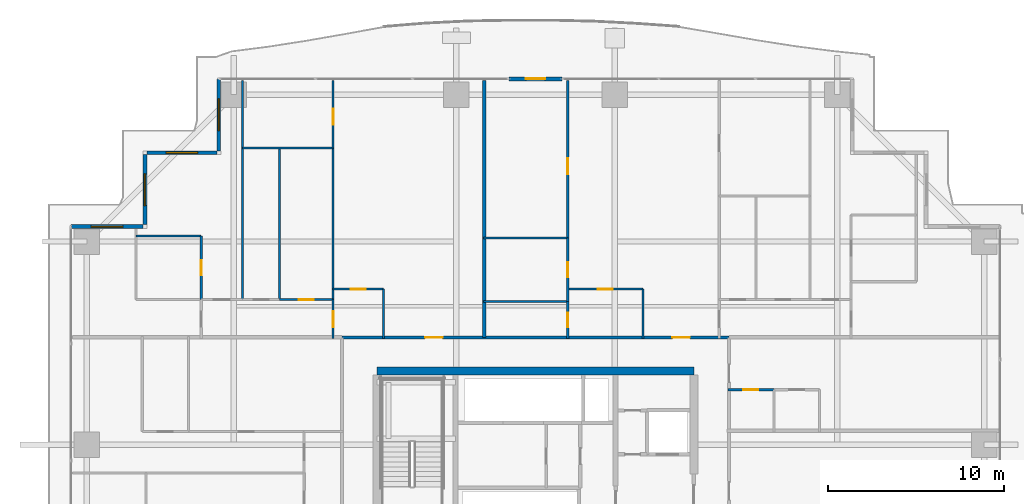
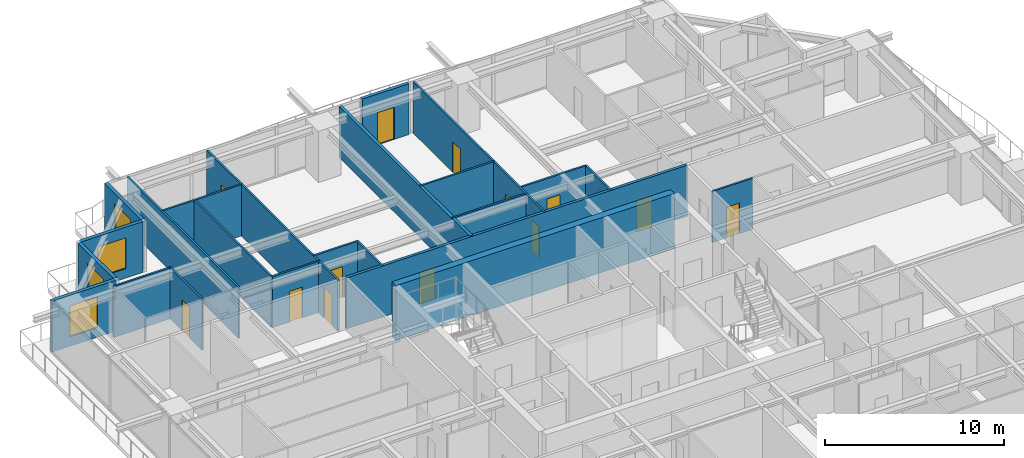
# One storey, part 31 of 38: 27 walls, 13 doors, 4 windows, 17 openings.
"""IFC4 building model written with IfcOpenShell, lengths in metres."""

from ifc_helpers import new_model, si_unit, direction, frame, frame_2d, origin, place, context, subcontext, project, spatial, rectangle, extrude, source, transform, mapped, material, layer, layer_set, type_object, element, fill, save


model = new_model("IFC4")

# Units and contexts
model_context = context("Model", 3, precision=1e-05, world=origin(), true_north=direction((0.0, 1.0)))
body_context = subcontext(model_context, "Body", "Model", "MODEL_VIEW")
ifc_project = project(units=[si_unit("LENGTHUNIT", "METRE"), si_unit("AREAUNIT", "SQUARE_METRE"), si_unit("VOLUMEUNIT", "CUBIC_METRE"), si_unit("PLANEANGLEUNIT", "RADIAN"), si_unit("MASSUNIT", "GRAM", prefix="KILO")], contexts=[model_context])

# Site, building, storey
site_placement = place(None, origin())
site = spatial("IfcSite", under=ifc_project, at=site_placement, CompositionType="ELEMENT")
building_placement = place(site_placement, origin())
building = spatial("IfcBuilding", under=site, at=building_placement, Name="Serunith Strait Residences", CompositionType="ELEMENT")
storey_placement = place(building_placement, frame((0.0, 0.0, 82.949951171875)))
storey = spatial("IfcBuildingStorey", under=building, at=storey_placement, Name="L20", CompositionType="ELEMENT", Elevation=82.949951171875)

# Wall, opening, door
ifc_material_1 = material(Name="Pale-Champagne Aluminium Insulated Panel", Category="aluminium")
ifc_layer_1 = layer(ifc_material_1, 0.219970703125, Name="Pale-Champagne Aluminium Insulated Panel")
ifc_layer_set_1 = layer_set([ifc_layer_1], Name="Pale-Champagne Aluminium Insulated Panel")
wall_type_1 = type_object("IfcWallType", Name="EW-ALUM-220", PredefinedType="ELEMENTEDWALL", material=ifc_layer_set_1)
wall_1_placement = place(storey_placement, frame((33.89990234375, 50.199951171875, 0.0), z_axis=(0.0, 0.0, 1.0), x_axis=(-1.0, 0.0, 0.0)))
wall_1 = element("IfcWall", 1, at=wall_1_placement, inside=storey, type_object=wall_type_1, Name="L20 N Facade Pier Wall", PredefinedType="ELEMENTEDWALL", context=body_context, shape_type="SweptSolid", body=[
    extrude(rectangle(XDim=3.0, YDim=0.219970703125, at=frame_2d((1.5, 0.0))), origin(), (0.0, 0.0, 1.0), 3.47509765625),
])
opening_1_placement = place(wall_1_placement, frame((0.949951171875, 0.0, 0.0)))
opening_1 = element("IfcOpeningElement", 2, at=opening_1_placement, cuts=wall_1, Name="Opening ED-03", PredefinedType="OPENING", context=body_context, shape_type="SweptSolid", body=[
    extrude(rectangle(XDim=1.10009765625, YDim=2.199951171875, at=frame_2d((0.550048828125, 1.10009765625))), frame((0.0, 0.1201171875, 0.0), z_axis=(0.0, -1.0, 0.0), x_axis=(1.0, 0.0, 0.0)), (0.0, 0.0, 1.0), 0.239990234375),
])
ifc_material_2 = material(Name="Thermally-Broken Aluminium Glazed Balcony Door", Category="aluminium")
door_type_1 = type_object("IfcDoorType", Name="ED-BALC-1100", OperationType="NOTDEFINED", PredefinedType="DOOR", material=ifc_material_2)
shared_shape_1 = source(origin(), body_context, "Body", "SweptSolid", [
    extrude(rectangle(XDim=1.10009765625, YDim=2.199951171875, at=frame_2d((0.550048828125, 1.10009765625))), frame((0.0, 0.02490234375, 0.0), z_axis=(0.0, -1.0, 0.0), x_axis=(1.0, 0.0, 0.0)), (0.0, 0.0, 1.0), 0.050048828125),
])
door_1_placement = place(opening_1_placement, origin())
door_1 = element("IfcDoor", 3, at=door_1_placement, inside=storey, type_object=door_type_1, Name="L20 N Vertical-Forest Balcony Door", OperationType="SINGLE_SWING_RIGHT", OverallHeight=2.199951171875, OverallWidth=1.10009765625, PredefinedType="DOOR", context=body_context, shape_type="MappedRepresentation", body=[
    mapped(shared_shape_1, transform((0.0, 0.0, 0.0), scale=1.0)),
])
fill(opening_1, door_1)

# Wall, opening, window
wall_2_placement = place(storey_placement, frame((14.39990234375, 50.199951171875, 0.0), z_axis=(0.0, 0.0, 1.0), x_axis=(0.0, -1.0, 0.0)))
wall_2 = element("IfcWall", 4, at=wall_2_placement, inside=storey, type_object=wall_type_1, Name="L20 Girih Serrated Corner Wall 12", PredefinedType="ELEMENTEDWALL", context=body_context, shape_type="SweptSolid", body=[
    extrude(rectangle(XDim=4.08984375, YDim=0.219970703125, at=frame_2d((2.044921875, 0.0))), origin(), (0.0, 0.0, 1.0), 3.47509765625),
])
opening_2_placement = place(wall_2_placement, frame((1.14501953125, 0.0, 0.64990234375)))
opening_2 = element("IfcOpeningElement", 5, at=opening_2_placement, cuts=wall_2, Name="Opening W-01", PredefinedType="OPENING", context=body_context, shape_type="SweptSolid", body=[
    extrude(rectangle(XDim=1.800048828125, YDim=2.10009765625, at=frame_2d((0.89990234375, 1.050048828125))), frame((0.0, 0.1201171875, 0.0), z_axis=(0.0, -1.0, 0.0), x_axis=(1.0, 0.0, 0.0)), (0.0, 0.0, 1.0), 0.239990234375),
])
ifc_material_3 = material(Name="Ceramic-Fritted Operable Aluminium Window Glass", Category="aluminium")
window_type = type_object("IfcWindowType", Name="WIN-C1", PartitioningType="DOUBLE_PANEL_VERTICAL", PredefinedType="WINDOW", material=ifc_material_3)
shared_shape_2 = source(origin(), body_context, "Body", "SweptSolid", [
    extrude(rectangle(XDim=1.800048828125, YDim=2.10009765625, at=frame_2d((0.89990234375, 1.050048828125))), frame((0.0, 0.030029296875, 0.0), z_axis=(0.0, -1.0, 0.0), x_axis=(1.0, 0.0, 0.0)), (0.0, 0.0, 1.0), 0.06005859375),
])
window_1_placement = place(opening_2_placement, origin())
window_1 = element("IfcWindow", 6, at=window_1_placement, inside=storey, type_object=window_type, Name="L20 Corner Operable Fritted Window 12", OverallHeight=2.10009765625, OverallWidth=1.800048828125, PartitioningType="SINGLE_PANEL", PredefinedType="WINDOW", context=body_context, shape_type="MappedRepresentation", body=[
    mapped(shared_shape_2, transform((0.0, 0.0, 0.0), scale=1.0)),
])
fill(opening_2, window_1)

wall_3_placement = place(storey_placement, frame((14.2900390625, 46.0, 0.0), z_axis=(0.0, 0.0, 1.0), x_axis=(-1.0, 0.0, 0.0)))
wall_3 = element("IfcWall", 7, at=wall_3_placement, inside=storey, type_object=wall_type_1, Name="L20 Girih Serrated Corner Wall 13", PredefinedType="ELEMENTEDWALL", context=body_context, shape_type="SweptSolid", body=[
    extrude(rectangle(XDim=3.97998046875, YDim=0.219970703125, at=frame_2d((1.989990234375, 0.0))), origin(), (0.0, 0.0, 1.0), 3.47509765625),
])
opening_3_placement = place(wall_3_placement, frame((1.090087890625, 0.0, 0.64990234375)))
opening_3 = element("IfcOpeningElement", 8, at=opening_3_placement, cuts=wall_3, Name="Opening W-01", PredefinedType="OPENING", context=body_context, shape_type="SweptSolid", body=[
    extrude(rectangle(XDim=1.800048828125, YDim=2.10009765625, at=frame_2d((0.89990234375, 1.050048828125))), frame((0.0, 0.1201171875, 0.0), z_axis=(0.0, -1.0, 0.0), x_axis=(1.0, 0.0, 0.0)), (0.0, 0.0, 1.0), 0.239990234375),
])
window_2_placement = place(opening_3_placement, origin())
window_2 = element("IfcWindow", 9, at=window_2_placement, inside=storey, type_object=window_type, Name="L20 Corner Operable Fritted Window 13", OverallHeight=2.10009765625, OverallWidth=1.800048828125, PartitioningType="SINGLE_PANEL", PredefinedType="WINDOW", context=body_context, shape_type="MappedRepresentation", body=[
    mapped(shared_shape_2, transform((0.0, 0.0, 0.0), scale=1.0)),
])
fill(opening_3, window_2)

wall_4_placement = place(storey_placement, frame((10.199951171875, 45.889892578125, 0.0), z_axis=(0.0, 0.0, 1.0), x_axis=(0.0, -1.0, 0.0)))
wall_4 = element("IfcWall", 10, at=wall_4_placement, inside=storey, type_object=wall_type_1, Name="L20 Girih Serrated Corner Wall 14", PredefinedType="ELEMENTEDWALL", context=body_context, shape_type="SweptSolid", body=[
    extrude(rectangle(XDim=3.97998046875, YDim=0.219970703125, at=frame_2d((1.989990234375, 0.0))), origin(), (0.0, 0.0, 1.0), 3.47509765625),
])
opening_4_placement = place(wall_4_placement, frame((1.090087890625, 0.0, 0.64990234375)))
opening_4 = element("IfcOpeningElement", 11, at=opening_4_placement, cuts=wall_4, Name="Opening W-01", PredefinedType="OPENING", context=body_context, shape_type="SweptSolid", body=[
    extrude(rectangle(XDim=1.800048828125, YDim=2.10009765625, at=frame_2d((0.89990234375, 1.050048828125))), frame((0.0, 0.1201171875, 0.0), z_axis=(0.0, -1.0, 0.0), x_axis=(1.0, 0.0, 0.0)), (0.0, 0.0, 1.0), 0.239990234375),
])
window_3_placement = place(opening_4_placement, origin())
window_3 = element("IfcWindow", 12, at=window_3_placement, inside=storey, type_object=window_type, Name="L20 Corner Operable Fritted Window 14", OverallHeight=2.10009765625, OverallWidth=1.800048828125, PartitioningType="SINGLE_PANEL", PredefinedType="WINDOW", context=body_context, shape_type="MappedRepresentation", body=[
    mapped(shared_shape_2, transform((0.0, 0.0, 0.0), scale=1.0)),
])
fill(opening_4, window_3)

wall_5_placement = place(storey_placement, frame((10.090087890625, 41.800048828125, 0.0), z_axis=(0.0, 0.0, 1.0), x_axis=(-1.0, 0.0, 0.0)))
wall_5 = element("IfcWall", 13, at=wall_5_placement, inside=storey, type_object=wall_type_1, Name="L20 Girih Serrated Corner Wall 15", PredefinedType="ELEMENTEDWALL", context=body_context, shape_type="SweptSolid", body=[
    extrude(rectangle(XDim=4.090087890625, YDim=0.219970703125, at=frame_2d((2.044921875, 0.0))), origin(), (0.0, 0.0, 1.0), 3.47509765625),
])
opening_5_placement = place(wall_5_placement, frame((1.14501953125, 0.0, 0.64990234375)))
opening_5 = element("IfcOpeningElement", 14, at=opening_5_placement, cuts=wall_5, Name="Opening W-01", PredefinedType="OPENING", context=body_context, shape_type="SweptSolid", body=[
    extrude(rectangle(XDim=1.800048828125, YDim=2.10009765625, at=frame_2d((0.89990234375, 1.050048828125))), frame((0.0, 0.1201171875, 0.0), z_axis=(0.0, -1.0, 0.0), x_axis=(1.0, 0.0, 0.0)), (0.0, 0.0, 1.0), 0.239990234375),
])
window_4_placement = place(opening_5_placement, origin())
window_4 = element("IfcWindow", 15, at=window_4_placement, inside=storey, type_object=window_type, Name="L20 Corner Operable Fritted Window 15", OverallHeight=2.10009765625, OverallWidth=1.800048828125, PartitioningType="SINGLE_PANEL", PredefinedType="WINDOW", context=body_context, shape_type="MappedRepresentation", body=[
    mapped(shared_shape_2, transform((0.0, 0.0, 0.0), scale=1.0)),
])
fill(opening_5, window_4)

# Wall, openings, doors
ifc_material_4 = material(Name="Fire-rated acoustic gypsum partition")
ifc_layer_2 = layer(ifc_material_4, 0.179931640625, Name="Fire-rated acoustic gypsum partition")
ifc_layer_set_2 = layer_set([ifc_layer_2], Name="Fire-rated acoustic gypsum partition")
wall_type_2 = type_object("IfcWallType", Name="IW-CORR-180", PredefinedType="PARTITIONING", material=ifc_layer_set_2)
wall_6_placement = place(storey_placement, frame((21.402099609375, 35.5, 0.0), z_axis=(0.0, 0.0, 1.0), x_axis=(1.0, 0.0, 0.0)))
wall_6 = element("IfcWall", 16, at=wall_6_placement, inside=storey, type_object=wall_type_2, Name="L20 Partition Wall 024", PredefinedType="PARTITIONING", context=body_context, shape_type="SweptSolid", body=[
    extrude(rectangle(XDim=21.995849609375, YDim=0.179931640625, at=frame_2d((10.998046875, 0.0))), origin(), (0.0, 0.0, 1.0), 3.489990234375),
])
opening_6_placement = place(wall_6_placement, frame((4.72412109375, 0.0, 0.0)))
opening_6 = element("IfcOpeningElement", 17, at=opening_6_placement, cuts=wall_6, Name="Opening D-APT1000", PredefinedType="OPENING", context=body_context, shape_type="SweptSolid", body=[
    extrude(rectangle(XDim=1.0, YDim=2.14990234375, at=frame_2d((0.5, 1.074951171875))), frame((0.0, 0.10009765625, 0.0), z_axis=(0.0, -1.0, 0.0), x_axis=(1.0, 0.0, 0.0)), (0.0, 0.0, 1.0), 0.199951171875),
])
opening_7_placement = place(wall_6_placement, frame((18.77001953125, 0.0, 0.0)))
opening_7 = element("IfcOpeningElement", 18, at=opening_7_placement, cuts=wall_6, Name="Opening D-APT1000", PredefinedType="OPENING", context=body_context, shape_type="SweptSolid", body=[
    extrude(rectangle(XDim=1.0, YDim=2.14990234375, at=frame_2d((0.5, 1.074951171875))), frame((0.0, 0.10009765625, 0.0), z_axis=(0.0, -1.0, 0.0), x_axis=(1.0, 0.0, 0.0)), (0.0, 0.0, 1.0), 0.199951171875),
])
ifc_material_5 = material(Name="Solid timber engineered fire door", Category="wood")
door_type_2 = type_object("IfcDoorType", Name="ID-APT-1000", OperationType="NOTDEFINED", PredefinedType="DOOR", material=ifc_material_5)
shared_shape_3 = source(origin(), body_context, "Body", "SweptSolid", [
    extrude(rectangle(XDim=1.0, YDim=2.14990234375, at=frame_2d((0.5, 1.074951171875))), frame((0.0, 0.02490234375, 0.0), z_axis=(0.0, -1.0, 0.0), x_axis=(1.0, 0.0, 0.0)), (0.0, 0.0, 1.0), 0.050048828125),
])
door_2_placement = place(opening_6_placement, origin())
door_2 = element("IfcDoor", 19, at=door_2_placement, inside=storey, type_object=door_type_2, Name="L20 Unit 03 Entrance Door", OperationType="SINGLE_SWING_LEFT", OverallHeight=2.14990234375, OverallWidth=1.0, PredefinedType="DOOR", context=body_context, shape_type="MappedRepresentation", body=[
    mapped(shared_shape_3, transform((0.0, 0.0, 0.0), scale=1.0)),
])
fill(opening_6, door_2)
door_3_placement = place(opening_7_placement, origin())
door_3 = element("IfcDoor", 20, at=door_3_placement, inside=storey, type_object=door_type_2, Name="L20 Unit 04 Entrance Door", OperationType="SINGLE_SWING_RIGHT", OverallHeight=2.14990234375, OverallWidth=1.0, PredefinedType="DOOR", context=body_context, shape_type="MappedRepresentation", body=[
    mapped(shared_shape_3, transform((0.0, 0.0, 0.0), scale=1.0)),
])
fill(opening_7, door_3)

# Wall, opening, door
ifc_material_6 = material(Name="Lightweight steel-stud gypsum partition", Category="steel")
ifc_layer_3 = layer(ifc_material_6, 0.1201171875, Name="Lightweight steel-stud gypsum partition")
ifc_layer_set_3 = layer_set([ifc_layer_3], Name="Lightweight steel-stud gypsum partition")
wall_type_3 = type_object("IfcWallType", Name="IW-PART-120", PredefinedType="PARTITIONING", material=ifc_layer_set_3)
wall_7_placement = place(storey_placement, frame((20.89990234375, 38.25, 0.0), z_axis=(0.0, 0.0, 1.0), x_axis=(1.0, 0.0, 0.0)))
wall_7 = element("IfcWall", 21, at=wall_7_placement, inside=storey, type_object=wall_type_3, Name="L20 Partition Wall 065", PredefinedType="PARTITIONING", context=body_context, shape_type="SweptSolid", body=[
    extrude(rectangle(XDim=2.85009765625, YDim=0.1201171875, at=frame_2d((1.425048828125, 0.0))), origin(), (0.0, 0.0, 1.0), 3.489990234375),
])
opening_8_placement = place(wall_7_placement, frame((1.0, 0.0, 0.0)))
opening_8 = element("IfcOpeningElement", 22, at=opening_8_placement, cuts=wall_7, Name="Opening D-RM850", PredefinedType="OPENING", context=body_context, shape_type="SweptSolid", body=[
    extrude(rectangle(XDim=0.85009765625, YDim=2.10009765625, at=frame_2d((0.425048828125, 1.050048828125))), frame((0.0, 0.070068359375, 0.0), z_axis=(0.0, -1.0, 0.0), x_axis=(1.0, 0.0, 0.0)), (0.0, 0.0, 1.0), 0.14013671875),
])
ifc_material_7 = material(Name="Engineered timber flush study and kitchen door", Category="wood")
door_type_3 = type_object("IfcDoorType", Name="ID-ROOM-850", OperationType="NOTDEFINED", PredefinedType="DOOR", material=ifc_material_7)
shared_shape_4 = source(origin(), body_context, "Body", "SweptSolid", [
    extrude(rectangle(XDim=0.85009765625, YDim=2.10009765625, at=frame_2d((0.425048828125, 1.050048828125))), frame((0.0, 0.02490234375, 0.0), z_axis=(0.0, -1.0, 0.0), x_axis=(1.0, 0.0, 0.0)), (0.0, 0.0, 1.0), 0.050048828125),
])
door_4_placement = place(opening_8_placement, origin())
door_4 = element("IfcDoor", 23, at=door_4_placement, inside=storey, type_object=door_type_3, Name="L20 Kitchen 2003 Door", OperationType="SINGLE_SWING_RIGHT", OverallHeight=2.10009765625, OverallWidth=0.85009765625, PredefinedType="DOOR", context=body_context, shape_type="MappedRepresentation", body=[
    mapped(shared_shape_4, transform((0.0, 0.0, 0.0), scale=1.0)),
])
fill(opening_8, door_4)

# Wall
wall_8_placement = place(storey_placement, frame((23.75, 38.25, 0.0), z_axis=(0.0, 0.0, 1.0), x_axis=(0.0, -1.0, 0.0)))
element("IfcWall", 24, at=wall_8_placement, inside=storey, type_object=wall_type_3, Name="L20 Partition Wall 066", PredefinedType="PARTITIONING", context=body_context, shape_type="SweptSolid", body=[
    extrude(rectangle(XDim=2.81005859375, YDim=0.1201171875, at=frame_2d((1.405029296875, 0.0))), origin(), (0.0, 0.0, 1.0), 3.489990234375),
])

# Wall, opening, door
wall_9_placement = place(storey_placement, frame((20.89990234375, 37.64990234375, 0.0), z_axis=(0.0, 0.0, 1.0), x_axis=(0.0, -1.0, 0.0)))
wall_9 = element("IfcWall", 25, at=wall_9_placement, inside=storey, type_object=wall_type_3, Name="L20 Partition Wall 067", PredefinedType="PARTITIONING", context=body_context, shape_type="SweptSolid", body=[
    extrude(rectangle(XDim=2.2099609375, YDim=0.1201171875, at=frame_2d((1.10498046875, 0.0))), origin(), (0.0, 0.0, 1.0), 3.489990234375),
])
opening_9_placement = place(wall_9_placement, frame((0.655029296875, 0.0, 0.0)))
opening_9 = element("IfcOpeningElement", 26, at=opening_9_placement, cuts=wall_9, Name="Opening D-RM900", PredefinedType="OPENING", context=body_context, shape_type="SweptSolid", body=[
    extrude(rectangle(XDim=0.89990234375, YDim=2.10009765625, at=frame_2d((0.449951171875, 1.050048828125))), frame((0.0, 0.070068359375, 0.0), z_axis=(0.0, -1.0, 0.0), x_axis=(1.0, 0.0, 0.0)), (0.0, 0.0, 1.0), 0.14013671875),
])
ifc_material_8 = material(Name="Engineered timber flush bedroom door", Category="wood")
door_type_4 = type_object("IfcDoorType", Name="ID-ROOM-900", OperationType="NOTDEFINED", PredefinedType="DOOR", material=ifc_material_8)
shared_shape_5 = source(origin(), body_context, "Body", "SweptSolid", [
    extrude(rectangle(XDim=0.89990234375, YDim=2.10009765625, at=frame_2d((0.449951171875, 1.050048828125))), frame((0.0, 0.02490234375, 0.0), z_axis=(0.0, -1.0, 0.0), x_axis=(1.0, 0.0, 0.0)), (0.0, 0.0, 1.0), 0.050048828125),
])
door_5_placement = place(opening_9_placement, origin())
door_5 = element("IfcDoor", 27, at=door_5_placement, inside=storey, type_object=door_type_4, Name="L20 Hall W 2003 Door", OperationType="SINGLE_SWING_LEFT", OverallHeight=2.10009765625, OverallWidth=0.89990234375, PredefinedType="DOOR", context=body_context, shape_type="MappedRepresentation", body=[
    mapped(shared_shape_5, transform((0.0, 0.0, 0.0), scale=1.0)),
])
fill(opening_9, door_5)

wall_10_placement = place(storey_placement, frame((20.89990234375, 50.10498046875, 0.0), z_axis=(0.0, 0.0, 1.0), x_axis=(0.0, -1.0, 0.0)))
wall_10 = element("IfcWall", 28, at=wall_10_placement, inside=storey, type_object=wall_type_3, Name="L20 Partition Wall 068", PredefinedType="PARTITIONING", context=body_context, shape_type="SweptSolid", body=[
    extrude(rectangle(XDim=3.825927734375, YDim=0.1201171875, at=frame_2d((1.9130859375, 0.0))), origin(), (0.0, 0.0, 1.0), 3.489990234375),
])
opening_10_placement = place(wall_10_placement, frame((1.60888671875, 0.0, 0.0)))
opening_10 = element("IfcOpeningElement", 29, at=opening_10_placement, cuts=wall_10, Name="Opening D-RM900", PredefinedType="OPENING", context=body_context, shape_type="SweptSolid", body=[
    extrude(rectangle(XDim=0.89990234375, YDim=2.10009765625, at=frame_2d((0.449951171875, 1.050048828125))), frame((0.0, 0.070068359375, 0.0), z_axis=(0.0, -1.0, 0.0), x_axis=(1.0, 0.0, 0.0)), (0.0, 0.0, 1.0), 0.14013671875),
])
door_6_placement = place(opening_10_placement, origin())
door_6 = element("IfcDoor", 30, at=door_6_placement, inside=storey, type_object=door_type_4, Name="L20 Study 1 2003 Door", OperationType="SINGLE_SWING_RIGHT", OverallHeight=2.10009765625, OverallWidth=0.89990234375, PredefinedType="DOOR", context=body_context, shape_type="MappedRepresentation", body=[
    mapped(shared_shape_5, transform((0.0, 0.0, 0.0), scale=1.0)),
])
fill(opening_10, door_6)

# Walls
wall_11_placement = place(storey_placement, frame((20.89990234375, 46.277099609375, 0.0), z_axis=(0.0, 0.0, 1.0), x_axis=(0.0, -1.0, 0.0)))
element("IfcWall", 31, at=wall_11_placement, inside=storey, type_object=wall_type_3, Name="L20 Partition Wall 069", PredefinedType="PARTITIONING", context=body_context, shape_type="SweptSolid", body=[
    extrude(rectangle(XDim=8.625, YDim=0.1201171875, at=frame_2d((4.3125, 0.0))), origin(), (0.0, 0.0, 1.0), 3.489990234375),
])
wall_12_placement = place(storey_placement, frame((15.75, 46.279052734375, 0.0), z_axis=(0.0, 0.0, 1.0), x_axis=(1.0, 0.0, 0.0)))
element("IfcWall", 32, at=wall_12_placement, inside=storey, type_object=wall_type_3, Name="L20 Partition Wall 070", PredefinedType="PARTITIONING", context=body_context, shape_type="SweptSolid", body=[
    extrude(rectangle(XDim=5.14990234375, YDim=0.1201171875, at=frame_2d((2.574951171875, 0.0))), origin(), (0.0, 0.0, 1.0), 3.489990234375),
])
wall_13_placement = place(storey_placement, frame((15.75, 50.10498046875, 0.0), z_axis=(0.0, 0.0, 1.0), x_axis=(0.0, -1.0, 0.0)))
element("IfcWall", 33, at=wall_13_placement, inside=storey, type_object=wall_type_3, Name="L20 Partition Wall 071", PredefinedType="PARTITIONING", context=body_context, shape_type="SweptSolid", body=[
    extrude(rectangle(XDim=12.455078125, YDim=0.1201171875, at=frame_2d((6.2275390625, 0.0))), origin(), (0.0, 0.0, 1.0), 3.489990234375),
])
wall_14_placement = place(storey_placement, frame((17.85009765625, 46.279052734375, 0.0), z_axis=(0.0, 0.0, 1.0), x_axis=(0.0, -1.0, 0.0)))
element("IfcWall", 34, at=wall_14_placement, inside=storey, type_object=wall_type_3, Name="L20 Partition Wall 072", PredefinedType="PARTITIONING", context=body_context, shape_type="SweptSolid", body=[
    extrude(rectangle(XDim=8.629150390625, YDim=0.1201171875, at=frame_2d((4.314453125, 0.0))), origin(), (0.0, 0.0, 1.0), 3.489990234375),
])

# Wall, opening, door
wall_15_placement = place(storey_placement, frame((17.85205078125, 37.64990234375, 0.0), z_axis=(0.0, 0.0, 1.0), x_axis=(1.0, 0.0, 0.0)))
wall_15 = element("IfcWall", 35, at=wall_15_placement, inside=storey, type_object=wall_type_3, Name="L20 Partition Wall 074", PredefinedType="PARTITIONING", context=body_context, shape_type="SweptSolid", body=[
    extrude(rectangle(XDim=3.0478515625, YDim=0.1201171875, at=frame_2d((1.52392578125, 0.0))), origin(), (0.0, 0.0, 1.0), 3.489990234375),
])
opening_11_placement = place(wall_15_placement, frame((1.09912109375, 0.0, 0.0)))
opening_11 = element("IfcOpeningElement", 36, at=opening_11_placement, cuts=wall_15, Name="Opening D-RM850", PredefinedType="OPENING", context=body_context, shape_type="SweptSolid", body=[
    extrude(rectangle(XDim=0.85009765625, YDim=2.10009765625, at=frame_2d((0.425048828125, 1.050048828125))), frame((0.0, 0.070068359375, 0.0), z_axis=(0.0, -1.0, 0.0), x_axis=(1.0, 0.0, 0.0)), (0.0, 0.0, 1.0), 0.14013671875),
])
door_7_placement = place(opening_11_placement, origin())
door_7 = element("IfcDoor", 37, at=door_7_placement, inside=storey, type_object=door_type_3, Name="L20 Study 2003 Door", OperationType="SINGLE_SWING_RIGHT", OverallHeight=2.10009765625, OverallWidth=0.85009765625, PredefinedType="DOOR", context=body_context, shape_type="MappedRepresentation", body=[
    mapped(shared_shape_4, transform((0.0, 0.0, 0.0), scale=1.0)),
])
fill(opening_11, door_7)

# Wall
wall_16_placement = place(storey_placement, frame((9.699951171875, 41.261962890625, 0.0), z_axis=(0.0, 0.0, 1.0), x_axis=(1.0, 0.0, 0.0)))
element("IfcWall", 38, at=wall_16_placement, inside=storey, type_object=wall_type_3, Name="L20 Partition Wall 076", PredefinedType="PARTITIONING", context=body_context, shape_type="SweptSolid", body=[
    extrude(rectangle(XDim=3.699951171875, YDim=0.1201171875, at=frame_2d((1.85009765625, 0.0))), origin(), (0.0, 0.0, 1.0), 3.489990234375),
])

# Wall, opening, door
wall_17_placement = place(storey_placement, frame((13.39990234375, 41.261962890625, 0.0), z_axis=(0.0, 0.0, 1.0), x_axis=(0.0, -1.0, 0.0)))
wall_17 = element("IfcWall", 39, at=wall_17_placement, inside=storey, type_object=wall_type_3, Name="L20 Partition Wall 079", PredefinedType="PARTITIONING", context=body_context, shape_type="SweptSolid", body=[
    extrude(rectangle(XDim=3.612060546875, YDim=0.1201171875, at=frame_2d((1.80615234375, 0.0))), origin(), (0.0, 0.0, 1.0), 3.489990234375),
])
opening_12_placement = place(wall_17_placement, frame((1.381103515625, 0.0, 0.0)))
opening_12 = element("IfcOpeningElement", 40, at=opening_12_placement, cuts=wall_17, Name="Opening D-BTH850", PredefinedType="OPENING", context=body_context, shape_type="SweptSolid", body=[
    extrude(rectangle(XDim=0.85009765625, YDim=2.10009765625, at=frame_2d((0.425048828125, 1.050048828125))), frame((0.0, 0.070068359375, 0.0), z_axis=(0.0, -1.0, 0.0), x_axis=(1.0, 0.0, 0.0)), (0.0, 0.0, 1.0), 0.14013671875),
])
ifc_material_9 = material(Name="Moisture-resistant timber bathroom door", Category="wood")
door_type_5 = type_object("IfcDoorType", Name="ID-BATH-850", OperationType="NOTDEFINED", PredefinedType="DOOR", material=ifc_material_9)
door_8_placement = place(opening_12_placement, origin())
door_8 = element("IfcDoor", 41, at=door_8_placement, inside=storey, type_object=door_type_5, Name="L20 En-suite Bathroom W 2003 Door", OperationType="SINGLE_SWING_RIGHT", OverallHeight=2.10009765625, OverallWidth=0.85009765625, PredefinedType="DOOR", context=body_context, shape_type="MappedRepresentation", body=[
    mapped(shared_shape_4, transform((0.0, 0.0, 0.0), scale=1.0)),
])
fill(opening_12, door_8)

wall_18_placement = place(storey_placement, frame((34.22998046875, 38.25, 0.0), z_axis=(0.0, 0.0, 1.0), x_axis=(1.0, 0.0, 0.0)))
wall_18 = element("IfcWall", 42, at=wall_18_placement, inside=storey, type_object=wall_type_3, Name="L20 Partition Wall 081", PredefinedType="PARTITIONING", context=body_context, shape_type="SweptSolid", body=[
    extrude(rectangle(XDim=4.27001953125, YDim=0.1201171875, at=frame_2d((2.135009765625, 0.0))), origin(), (0.0, 0.0, 1.0), 3.489990234375),
])
opening_13_placement = place(wall_18_placement, frame((1.7099609375, 0.0, 0.0)))
opening_13 = element("IfcOpeningElement", 43, at=opening_13_placement, cuts=wall_18, Name="Opening D-RM850", PredefinedType="OPENING", context=body_context, shape_type="SweptSolid", body=[
    extrude(rectangle(XDim=0.85009765625, YDim=2.10009765625, at=frame_2d((0.425048828125, 1.050048828125))), frame((0.0, 0.070068359375, 0.0), z_axis=(0.0, -1.0, 0.0), x_axis=(1.0, 0.0, 0.0)), (0.0, 0.0, 1.0), 0.14013671875),
])
door_9_placement = place(opening_13_placement, origin())
door_9 = element("IfcDoor", 44, at=door_9_placement, inside=storey, type_object=door_type_3, Name="L20 Kitchen 2004 Door", OperationType="SINGLE_SWING_RIGHT", OverallHeight=2.10009765625, OverallWidth=0.85009765625, PredefinedType="DOOR", context=body_context, shape_type="MappedRepresentation", body=[
    mapped(shared_shape_4, transform((0.0, 0.0, 0.0), scale=1.0)),
])
fill(opening_13, door_9)

# Wall
wall_19_placement = place(storey_placement, frame((38.5, 38.25, 0.0), z_axis=(0.0, 0.0, 1.0), x_axis=(0.0, -1.0, 0.0)))
element("IfcWall", 45, at=wall_19_placement, inside=storey, type_object=wall_type_3, Name="L20 Partition Wall 082", PredefinedType="PARTITIONING", context=body_context, shape_type="SweptSolid", body=[
    extrude(rectangle(XDim=2.81005859375, YDim=0.1201171875, at=frame_2d((1.405029296875, 0.0))), origin(), (0.0, 0.0, 1.0), 3.489990234375),
])

# Wall, opening, door
wall_20_placement = place(storey_placement, frame((34.22998046875, 50.10498046875, 0.0), z_axis=(0.0, 0.0, 1.0), x_axis=(0.0, -1.0, 0.0)))
wall_20 = element("IfcWall", 46, at=wall_20_placement, inside=storey, type_object=wall_type_3, Name="L20 Partition Wall 083", PredefinedType="PARTITIONING", context=body_context, shape_type="SweptSolid", body=[
    extrude(rectangle(XDim=8.94091796875, YDim=0.1201171875, at=frame_2d((4.470458984375, 0.0))), origin(), (0.0, 0.0, 1.0), 3.489990234375),
])
opening_14_placement = place(wall_20_placement, frame((4.423095703125, 0.0, 0.0)))
opening_14 = element("IfcOpeningElement", 47, at=opening_14_placement, cuts=wall_20, Name="Opening D-RM900", PredefinedType="OPENING", context=body_context, shape_type="SweptSolid", body=[
    extrude(rectangle(XDim=0.89990234375, YDim=2.10009765625, at=frame_2d((0.449951171875, 1.050048828125))), frame((0.0, 0.070068359375, 0.0), z_axis=(0.0, -1.0, 0.0), x_axis=(1.0, 0.0, 0.0)), (0.0, 0.0, 1.0), 0.14013671875),
])
door_10_placement = place(opening_14_placement, origin())
door_10 = element("IfcDoor", 48, at=door_10_placement, inside=storey, type_object=door_type_4, Name="L20 Master Bedroom 1 2004 Door", OperationType="SINGLE_SWING_LEFT", OverallHeight=2.10009765625, OverallWidth=0.89990234375, PredefinedType="DOOR", context=body_context, shape_type="MappedRepresentation", body=[
    mapped(shared_shape_5, transform((0.0, 0.0, 0.0), scale=1.0)),
])
fill(opening_14, door_10)

# Walls
for number, where, z_axis, x_axis, name in (
    (49, (29.43994140625, 41.1640625, 0.0), (0.0, 0.0, 1.0), (1.0, 0.0, 0.0), "L20 Partition Wall 084"),
    (50, (29.43994140625, 37.550048828125, 0.0), (0.0, 0.0, 1.0), (1.0, 0.0, 0.0), "L20 Partition Wall 085"),
):
    element("IfcWall", number, at=place(storey_placement, frame(where, z_axis=z_axis, x_axis=x_axis)), inside=storey, type_object=wall_type_3, Name=name, PredefinedType="PARTITIONING", context=body_context, shape_type="SweptSolid", body=[
        extrude(rectangle(XDim=4.7900390625, YDim=0.1201171875, at=frame_2d((2.39501953125, 0.0))), origin(), (0.0, 0.0, 1.0), 3.489990234375),
    ])

# Wall, opening, door
wall_21_placement = place(storey_placement, frame((34.22998046875, 41.162109375, 0.0), z_axis=(0.0, 0.0, 1.0), x_axis=(0.0, -1.0, 0.0)))
wall_21 = element("IfcWall", 51, at=wall_21_placement, inside=storey, type_object=wall_type_3, Name="L20 Partition Wall 086", PredefinedType="PARTITIONING", context=body_context, shape_type="SweptSolid", body=[
    extrude(rectangle(XDim=3.612060546875, YDim=0.1201171875, at=frame_2d((1.80615234375, 0.0))), origin(), (0.0, 0.0, 1.0), 3.489990234375),
])
opening_15_placement = place(wall_21_placement, frame((1.381103515625, 0.0, 0.0)))
opening_15 = element("IfcOpeningElement", 52, at=opening_15_placement, cuts=wall_21, Name="Opening D-RM850", PredefinedType="OPENING", context=body_context, shape_type="SweptSolid", body=[
    extrude(rectangle(XDim=0.85009765625, YDim=2.10009765625, at=frame_2d((0.425048828125, 1.050048828125))), frame((0.0, 0.070068359375, 0.0), z_axis=(0.0, -1.0, 0.0), x_axis=(1.0, 0.0, 0.0)), (0.0, 0.0, 1.0), 0.14013671875),
])
door_11_placement = place(opening_15_placement, origin())
door_11 = element("IfcDoor", 53, at=door_11_placement, inside=storey, type_object=door_type_3, Name="L20 Walk-in Wardrobe 2004 Door", OperationType="SINGLE_SWING_RIGHT", OverallHeight=2.10009765625, OverallWidth=0.85009765625, PredefinedType="DOOR", context=body_context, shape_type="MappedRepresentation", body=[
    mapped(shared_shape_4, transform((0.0, 0.0, 0.0), scale=1.0)),
])
fill(opening_15, door_11)

wall_22_placement = place(storey_placement, frame((34.22998046875, 37.548095703125, 0.0), z_axis=(0.0, 0.0, 1.0), x_axis=(0.0, -1.0, 0.0)))
wall_22 = element("IfcWall", 54, at=wall_22_placement, inside=storey, type_object=wall_type_3, Name="L20 Partition Wall 087", PredefinedType="PARTITIONING", context=body_context, shape_type="SweptSolid", body=[
    extrude(rectangle(XDim=2.108154296875, YDim=0.1201171875, at=frame_2d((1.05419921875, 0.0))), origin(), (0.0, 0.0, 1.0), 3.489990234375),
])
opening_16_placement = place(wall_22_placement, frame((0.62890625, 0.0, 0.0)))
opening_16 = element("IfcOpeningElement", 55, at=opening_16_placement, cuts=wall_22, Name="Opening D-BTH850", PredefinedType="OPENING", context=body_context, shape_type="SweptSolid", body=[
    extrude(rectangle(XDim=0.85009765625, YDim=2.10009765625, at=frame_2d((0.425048828125, 1.050048828125))), frame((0.0, 0.070068359375, 0.0), z_axis=(0.0, -1.0, 0.0), x_axis=(1.0, 0.0, 0.0)), (0.0, 0.0, 1.0), 0.14013671875),
])
door_12_placement = place(opening_16_placement, origin())
door_12 = element("IfcDoor", 56, at=door_12_placement, inside=storey, type_object=door_type_5, Name="L20 Bathroom 2004 Door", OperationType="SINGLE_SWING_LEFT", OverallHeight=2.10009765625, OverallWidth=0.85009765625, PredefinedType="DOOR", context=body_context, shape_type="MappedRepresentation", body=[
    mapped(shared_shape_4, transform((0.0, 0.0, 0.0), scale=1.0)),
])
fill(opening_16, door_12)

wall_23_placement = place(storey_placement, frame((45.947998046875, 32.530029296875, 0.0), z_axis=(0.0, 0.0, 1.0), x_axis=(-1.0, 0.0, 0.0)))
wall_23 = element("IfcWall", 57, at=wall_23_placement, inside=storey, type_object=wall_type_3, Name="L20 Partition Wall 128", PredefinedType="PARTITIONING", context=body_context, shape_type="SweptSolid", body=[
    extrude(rectangle(XDim=2.60791015625, YDim=0.1201171875, at=frame_2d((1.303955078125, 0.0))), origin(), (0.0, 0.0, 1.0), 3.489990234375),
])
opening_17_placement = place(wall_23_placement, frame((0.87890625, 0.0, 0.0)))
opening_17 = element("IfcOpeningElement", 58, at=opening_17_placement, cuts=wall_23, Name="Opening D-BTH850", PredefinedType="OPENING", context=body_context, shape_type="SweptSolid", body=[
    extrude(rectangle(XDim=0.85009765625, YDim=2.10009765625, at=frame_2d((0.425048828125, 1.050048828125))), frame((0.0, 0.070068359375, 0.0), z_axis=(0.0, -1.0, 0.0), x_axis=(1.0, 0.0, 0.0)), (0.0, 0.0, 1.0), 0.14013671875),
])
door_13_placement = place(opening_17_placement, origin())
door_13 = element("IfcDoor", 59, at=door_13_placement, inside=storey, type_object=door_type_5, Name="L20 Bathroom 2008 Door", OperationType="SINGLE_SWING_RIGHT", OverallHeight=2.10009765625, OverallWidth=0.85009765625, PredefinedType="DOOR", context=body_context, shape_type="MappedRepresentation", body=[
    mapped(shared_shape_4, transform((0.0, 0.0, 0.0), scale=1.0)),
])
fill(opening_17, door_13)

# Walls
ifc_material_10 = material(Name="Twin-stud acoustic gypsum board partition")
ifc_layer_4 = layer(ifc_material_10, 0.199951171875, Name="Twin-stud acoustic gypsum board partition")
ifc_layer_set_4 = layer_set([ifc_layer_4], Name="Twin-stud acoustic gypsum board partition")
wall_type_4 = type_object("IfcWallType", Name="IW-PARTY-200", PredefinedType="PARTITIONING", material=ifc_layer_set_4)
wall_24_placement = place(storey_placement, frame((29.5, 35.5, 0.0), z_axis=(0.0, 0.0, 1.0), x_axis=(0.0, 1.0, 0.0)))
element("IfcWall", 60, at=wall_24_placement, inside=storey, type_object=wall_type_4, Name="L20 Partition Wall 016", PredefinedType="PARTITIONING", context=body_context, shape_type="SweptSolid", body=[
    extrude(rectangle(XDim=14.617919921875, YDim=0.199951171875, at=frame_2d((7.30908203125, 0.0))), origin(), (0.0, 0.0, 1.0), 3.489990234375),
])
ifc_material_11 = material(Name="Concrete C80/95", Category="concrete")
ifc_layer_5 = layer(ifc_material_11, 0.449951171875, Name="Concrete C80/95")
ifc_layer_set_5 = layer_set([ifc_layer_5], Name="Concrete C80/95")
wall_type_5 = type_object("IfcWallType", Name="SW-450-C80", PredefinedType="SHEAR", material=ifc_layer_set_5)
wall_25_placement = place(storey_placement, frame((41.39990234375, 33.60009765625, -0.260009765625), z_axis=(0.0, 0.0, 1.0), x_axis=(-1.0, 0.0, 0.0)))
element("IfcWall", 61, at=wall_25_placement, inside=storey, type_object=wall_type_5, Name="L20 Core North Shear Wall", PredefinedType="SHEAR", context=body_context, shape_type="SweptSolid", body=[
    extrude(rectangle(XDim=18.0, YDim=0.449951171875, at=frame_2d((9.0, 0.0))), origin(), (0.0, 0.0, 1.0), 3.748046875),
])

save(model, "model.ifc")
